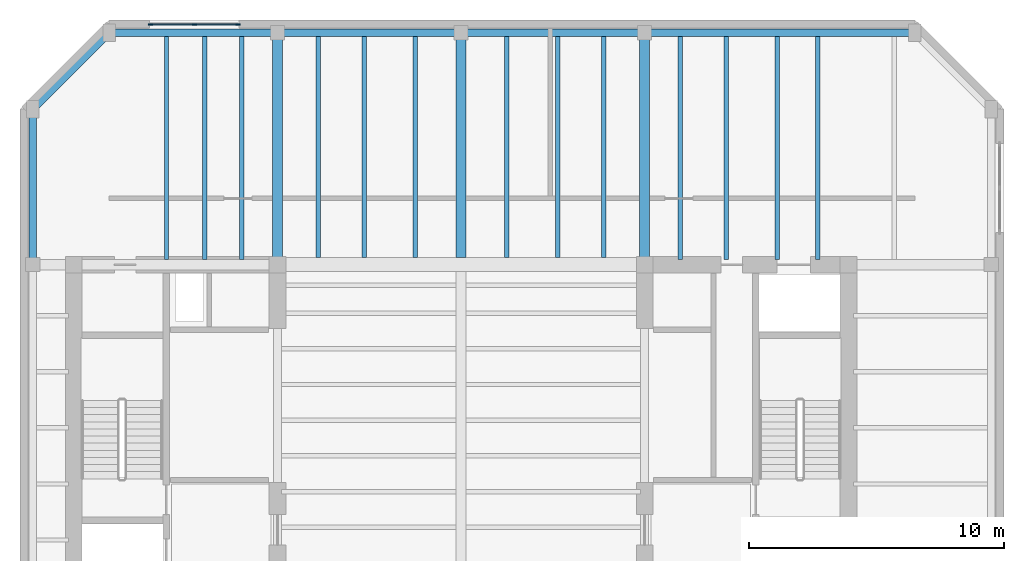
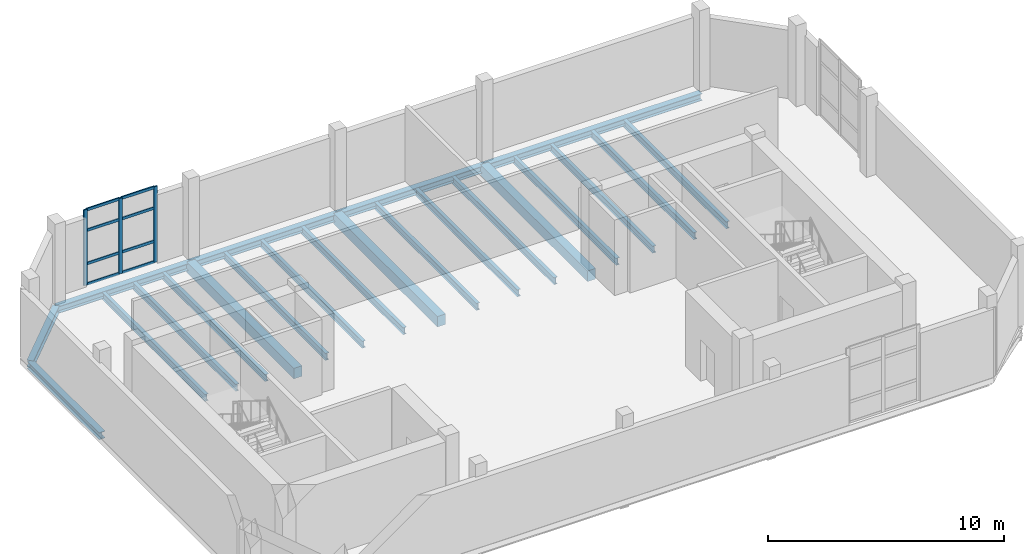
# One storey, part 3 of 7: 22 beams, 11 members, 1 element without a shape of its own.
"""IFC4 building model written with IfcOpenShell, lengths in metres."""

from ifc_helpers import new_model, si_unit, direction, frame, origin, origin_2d, place, context, subcontext, project, spatial, rectangle, i_section, extrude, material, layer, layer_set, material_profile, profile_set, type_object, element, aggregate, save


model = new_model("IFC4")

# Units and contexts
model_context = context("Model", 3, precision=1e-05, world=origin(), true_north=direction((0.0, 1.0)))
body_context = subcontext(model_context, "Body", "Model", "MODEL_VIEW")
ifc_project = project(units=[si_unit("LENGTHUNIT", "METRE"), si_unit("AREAUNIT", "SQUARE_METRE"), si_unit("VOLUMEUNIT", "CUBIC_METRE"), si_unit("PLANEANGLEUNIT", "RADIAN"), si_unit("MASSUNIT", "GRAM", prefix="KILO")], contexts=[model_context])

# Site, building, storey
site_placement = place(None, origin())
site = spatial("IfcSite", under=ifc_project, at=site_placement, CompositionType="ELEMENT")
building_placement = place(site_placement, origin())
building = spatial("IfcBuilding", under=site, at=building_placement, Name="Kranthara Brick Stack", CompositionType="ELEMENT")
storey_placement = place(building_placement, frame((0.0, 0.0, 304.800048828125)))
storey = spatial("IfcBuildingStorey", under=building, at=storey_placement, Name="L80", CompositionType="ELEMENT", Elevation=304.800048828125)

# Beams
ifc_material_1 = material(Name="Post-tensioned concrete C45/55", Category="concrete")
ifc_material_profile_1 = material_profile(ifc_material_1, rectangle(XDim=0.39990234375, YDim=0.550048828125, at=origin_2d()), Name="PT 400x550")
ifc_profile_set_1 = profile_set([ifc_material_profile_1], Name="Post-tensioned concrete C45/55")
beam_type_1 = type_object("IfcBeamType", Name="BM-FLR-PT550", PredefinedType="BEAM", material=ifc_profile_set_1)
beam_1_placement = place(storey_placement, frame((20.800048828125, 33.60009765625, -0.554931640625), z_axis=(0.0, 1.0, 0.0), x_axis=(-1.0, 0.0, 0.0)))
element("IfcBeam", 1, at=beam_1_placement, inside=storey, type_object=beam_type_1, Name="L80 Primary Grid Girder 022", PredefinedType="BEAM", context=body_context, shape_type="SweptSolid", body=[
    extrude(rectangle(XDim=0.39990234375, YDim=0.550048828125, at=origin_2d()), origin(), (0.0, 0.0, 1.0), 9.099853515625),
])
beam_2_placement = place(storey_placement, frame((28.0, 33.875, -0.554931640625), z_axis=(0.0, 1.0, 0.0), x_axis=(-1.0, 0.0, 0.0)))
element("IfcBeam", 2, at=beam_2_placement, inside=storey, type_object=beam_type_1, Name="L80 Primary Grid Girder 025", PredefinedType="BEAM", context=body_context, shape_type="SweptSolid", body=[
    extrude(rectangle(XDim=0.39990234375, YDim=0.550048828125, at=origin_2d()), origin(), (0.0, 0.0, 1.0), 8.824951171875),
])
beam_3_placement = place(storey_placement, frame((35.199951171875, 33.60009765625, -0.554931640625), z_axis=(0.0, 1.0, 0.0), x_axis=(-1.0, 0.0, 0.0)))
element("IfcBeam", 3, at=beam_3_placement, inside=storey, type_object=beam_type_1, Name="L80 Primary Grid Girder 027", PredefinedType="BEAM", context=body_context, shape_type="SweptSolid", body=[
    extrude(rectangle(XDim=0.39990234375, YDim=0.550048828125, at=origin_2d()), origin(), (0.0, 0.0, 1.0), 9.099853515625),
])
ifc_material_2 = material(Name="Steel S355", Category="steel")
ifc_material_profile_2 = material_profile(ifc_material_2, i_section(OverallWidth=0.169921875, OverallDepth=0.360107421875, WebThickness=0.008056640625, FlangeThickness=0.0126953125, at=origin_2d()), Name="IPE 360")
ifc_profile_set_2 = profile_set([ifc_material_profile_2], Name="Steel S355")
beam_type_2 = type_object("IfcBeamType", Name="BM-JST-IPE360", PredefinedType="JOIST", material=ifc_profile_set_2)
for number, where, z_axis, x_axis, name in (
    (4, (16.449951171875, 33.800048828125, -0.4599609375), (0.0, 1.0, 0.0), (-1.0, 0.0, 0.0), "L80 North Wing Floor Joist 051"),
    (5, (17.949951171875, 33.800048828125, -0.4599609375), (0.0, 1.0, 0.0), (-1.0, 0.0, 0.0), "L80 North Wing Floor Joist 053"),
    (6, (19.39990234375, 33.800048828125, -0.4599609375), (0.0, 1.0, 0.0), (-1.0, 0.0, 0.0), "L80 North Wing Floor Joist 055"),
):
    element("IfcBeam", number, at=place(storey_placement, frame(where, z_axis=z_axis, x_axis=x_axis)), inside=storey, type_object=beam_type_2, Name=name, PredefinedType="JOIST", context=body_context, shape_type="SweptSolid", body=[
        extrude(i_section(OverallWidth=0.169921875, OverallDepth=0.360107421875, WebThickness=0.008056640625, FlangeThickness=0.0126953125, at=origin_2d()), origin(), (0.0, 0.0, 1.0), 8.75),
    ])
for number, where, z_axis, x_axis, name in (
    (7, (22.39990234375, 33.875, -0.4599609375), (0.0, 1.0, 0.0), (-1.0, 0.0, 0.0), "L80 North Wing Floor Joist 057"),
    (8, (24.199951171875, 33.875, -0.4599609375), (0.0, 1.0, 0.0), (-1.0, 0.0, 0.0), "L80 North Wing Floor Joist 059"),
    (9, (26.199951171875, 33.875, -0.4599609375), (0.0, 1.0, 0.0), (-1.0, 0.0, 0.0), "L80 North Wing Floor Joist 061"),
    (10, (29.800048828125, 33.875, -0.4599609375), (0.0, 1.0, 0.0), (-1.0, 0.0, 0.0), "L80 North Wing Floor Joist 063"),
    (11, (31.800048828125, 33.875, -0.4599609375), (0.0, 1.0, 0.0), (-1.0, 0.0, 0.0), "L80 North Wing Floor Joist 065"),
    (12, (33.60009765625, 33.875, -0.4599609375), (0.0, 1.0, 0.0), (-1.0, 0.0, 0.0), "L80 North Wing Floor Joist 067"),
):
    element("IfcBeam", number, at=place(storey_placement, frame(where, z_axis=z_axis, x_axis=x_axis)), inside=storey, type_object=beam_type_2, Name=name, PredefinedType="JOIST", context=body_context, shape_type="SweptSolid", body=[
        extrude(i_section(OverallWidth=0.169921875, OverallDepth=0.360107421875, WebThickness=0.008056640625, FlangeThickness=0.0126953125, at=origin_2d()), origin(), (0.0, 0.0, 1.0), 8.675048828125),
    ])
for number, where, z_axis, x_axis, name in (
    (13, (36.60009765625, 33.800048828125, -0.4599609375), (0.0, 1.0, 0.0), (-1.0, 0.0, 0.0), "L80 North Wing Floor Joist 069"),
    (14, (38.39990234375, 33.800048828125, -0.4599609375), (0.0, 1.0, 0.0), (-1.0, 0.0, 0.0), "L80 North Wing Floor Joist 071"),
    (15, (40.39990234375, 33.800048828125, -0.4599609375), (0.0, 1.0, 0.0), (-1.0, 0.0, 0.0), "L80 North Wing Floor Joist 073"),
    (16, (42.0, 33.800048828125, -0.4599609375), (0.0, 1.0, 0.0), (-1.0, 0.0, 0.0), "L80 North Wing Floor Joist 075"),
):
    element("IfcBeam", number, at=place(storey_placement, frame(where, z_axis=z_axis, x_axis=x_axis)), inside=storey, type_object=beam_type_2, Name=name, PredefinedType="JOIST", context=body_context, shape_type="SweptSolid", body=[
        extrude(i_section(OverallWidth=0.169921875, OverallDepth=0.360107421875, WebThickness=0.008056640625, FlangeThickness=0.0126953125, at=origin_2d()), origin(), (0.0, 0.0, 1.0), 8.75),
    ])
ifc_material_3 = material(Name="Steel S355", Category="steel")
ifc_material_profile_3 = material_profile(ifc_material_3, i_section(OverallWidth=0.300048828125, OverallDepth=0.360107421875, WebThickness=0.012451171875, FlangeThickness=0.0224609375, at=origin_2d()), Name="HEB 360")
ifc_profile_set_3 = profile_set([ifc_material_profile_3], Name="Steel S355")
beam_type_3 = type_object("IfcBeamType", Name="BM-STL-HEB360", PredefinedType="SPANDREL", material=ifc_profile_set_3)
beam_4_placement = place(storey_placement, frame((14.199951171875, 42.699951171875, -0.4599609375), z_axis=(1.0, 0.0, 0.0), x_axis=(0.0, 1.0, 0.0)))
element("IfcBeam", 17, at=beam_4_placement, inside=storey, type_object=beam_type_3, Name="L80 Perimeter Spandrel Beam 009", PredefinedType="SPANDREL", context=body_context, shape_type="SweptSolid", body=[
    extrude(i_section(OverallWidth=0.300048828125, OverallDepth=0.360107421875, WebThickness=0.012451171875, FlangeThickness=0.0224609375, at=origin_2d()), origin(), (0.0, 0.0, 1.0), 6.60009765625),
])
for number, where, z_axis, x_axis, name in (
    (18, (20.800048828125, 42.699951171875, -0.4599609375), (1.0, 0.0, 0.0), (0.0, 1.0, 0.0), "L80 Perimeter Spandrel Beam 010"),
    (19, (28.0, 42.699951171875, -0.4599609375), (1.0, 0.0, 0.0), (0.0, 1.0, 0.0), "L80 Perimeter Spandrel Beam 011"),
):
    element("IfcBeam", number, at=place(storey_placement, frame(where, z_axis=z_axis, x_axis=x_axis)), inside=storey, type_object=beam_type_3, Name=name, PredefinedType="SPANDREL", context=body_context, shape_type="SweptSolid", body=[
        extrude(i_section(OverallWidth=0.300048828125, OverallDepth=0.360107421875, WebThickness=0.012451171875, FlangeThickness=0.0224609375, at=origin_2d()), origin(), (0.0, 0.0, 1.0), 7.199951171875),
    ])
beam_5_placement = place(storey_placement, frame((35.199951171875, 42.699951171875, -0.4599609375), z_axis=(1.0, 0.0, 0.0), x_axis=(0.0, 1.0, 0.0)))
element("IfcBeam", 20, at=beam_5_placement, inside=storey, type_object=beam_type_3, Name="L80 Perimeter Spandrel Beam 012", PredefinedType="SPANDREL", context=body_context, shape_type="SweptSolid", body=[
    extrude(i_section(OverallWidth=0.300048828125, OverallDepth=0.360107421875, WebThickness=0.012451171875, FlangeThickness=0.0224609375, at=origin_2d()), origin(), (0.0, 0.0, 1.0), 10.60009765625),
])
beam_6_placement = place(storey_placement, frame((11.199951171875, 33.60009765625, -0.4599609375), z_axis=(0.0, 1.0, 0.0), x_axis=(-1.0, 0.0, 0.0)))
element("IfcBeam", 21, at=beam_6_placement, inside=storey, type_object=beam_type_3, Name="L80 Perimeter Spandrel Beam 014", PredefinedType="SPANDREL", context=body_context, shape_type="SweptSolid", body=[
    extrude(i_section(OverallWidth=0.300048828125, OverallDepth=0.360107421875, WebThickness=0.012451171875, FlangeThickness=0.0224609375, at=origin_2d()), origin(), (0.0, 0.0, 1.0), 6.099853515625),
])
beam_7_placement = place(storey_placement, frame((14.199951171875, 42.699951171875, -0.4599609375), z_axis=(-0.707106781187, -0.707106781187, 0.0), x_axis=(0.707106781187, -0.707106781187, 0.0)))
element("IfcBeam", 22, at=beam_7_placement, inside=storey, type_object=beam_type_3, Name="L80 Chamfer Corner Spandrel 019", PredefinedType="SPANDREL", context=body_context, shape_type="SweptSolid", body=[
    extrude(i_section(OverallWidth=0.300048828125, OverallDepth=0.360107421875, WebThickness=0.012451171875, FlangeThickness=0.0224609375, at=origin_2d()), origin(), (0.0, 0.0, 1.0), 4.24267578125),
])

# Curtain wall, members
ifc_material_4 = material(Name="Bronze anodised aluminium and low-E glass", Category="aluminium")
ifc_layer = layer(ifc_material_4, 0.25)
ifc_layer_set = layer_set([ifc_layer], Name="Bronze anodised aluminium and low-E glass")
curtain_wall_type = type_object("IfcCurtainWallType", Name="CW-SYS6-CROWN", PredefinedType="USERDEFINED", material=ifc_layer_set)
curtain_wall_placement = place(storey_placement, origin())
curtain_wall = element("IfcCurtainWall", 23, at=curtain_wall_placement, inside=storey, type_object=curtain_wall_type, Name="L80 Curtain Wall CW6-L80-02", ObjectType="UNITISED CURTAIN WALL", PredefinedType="USERDEFINED")
ifc_material_5 = material(Name="Bronze anodised aluminium 6063-T6", Category="aluminium")
ifc_material_profile_4 = material_profile(ifc_material_5, rectangle(XDim=0.06494140625, YDim=0.179931640625, at=origin_2d()), Name="ALU MULLION 65x180")
ifc_profile_set_4 = profile_set([ifc_material_profile_4], Name="Bronze anodised aluminium 6063-T6")
member_type_1 = type_object("IfcMemberType", Name="CWM-65x180", PredefinedType="MULLION", material=ifc_profile_set_4)
member_1_placement = place(storey_placement, frame((15.820556640625, 43.030029296875, 0.0), z_axis=(0.0, 0.0, 1.0), x_axis=(0.0, 1.0, 0.0)))
member_1 = element("IfcMember", 24, at=member_1_placement, type_object=member_type_1, Name="CW mullion 1", PredefinedType="MULLION", context=body_context, shape_type="SweptSolid", body=[
    extrude(rectangle(XDim=0.06494140625, YDim=0.179931640625, at=origin_2d()), origin(), (0.0, 0.0, 1.0), 3.919921875),
])
member_2_placement = place(storey_placement, frame((17.5380859375, 43.030029296875, 0.0), z_axis=(0.0, 0.0, 1.0), x_axis=(0.0, 1.0, 0.0)))
member_2 = element("IfcMember", 25, at=member_2_placement, type_object=member_type_1, Name="CW mullion 2", PredefinedType="MULLION", context=body_context, shape_type="SweptSolid", body=[
    extrude(rectangle(XDim=0.06494140625, YDim=0.179931640625, at=origin_2d()), origin(), (0.0, 0.0, 1.0), 3.919921875),
])
member_3_placement = place(storey_placement, frame((19.255615234375, 43.030029296875, 0.0), z_axis=(0.0, 0.0, 1.0), x_axis=(0.0, 1.0, 0.0)))
member_3 = element("IfcMember", 26, at=member_3_placement, type_object=member_type_1, Name="CW mullion 3", PredefinedType="MULLION", context=body_context, shape_type="SweptSolid", body=[
    extrude(rectangle(XDim=0.06494140625, YDim=0.179931640625, at=origin_2d()), origin(), (0.0, 0.0, 1.0), 3.919921875),
])
ifc_material_6 = material(Name="Bronze anodised aluminium 6063-T6", Category="aluminium")
ifc_material_profile_5 = material_profile(ifc_material_6, rectangle(XDim=0.06494140625, YDim=0.139892578125, at=origin_2d()), Name="ALU TRANSOM 65x140")
ifc_profile_set_5 = profile_set([ifc_material_profile_5], Name="Bronze anodised aluminium 6063-T6")
member_type_2 = type_object("IfcMemberType", Name="CWT-65x140", PredefinedType="USERDEFINED", material=ifc_profile_set_5)
member_4_placement = place(storey_placement, frame((15.85302734375, 43.030029296875, 0.032470703125), z_axis=(1.0, 0.0, 0.0), x_axis=(0.0, 1.0, 0.0)))
member_4 = element("IfcMember", 27, at=member_4_placement, type_object=member_type_2, Name="CW transom 1.1", ObjectType="TRANSOM", PredefinedType="USERDEFINED", context=body_context, shape_type="SweptSolid", body=[
    extrude(rectangle(XDim=0.06494140625, YDim=0.139892578125, at=origin_2d()), origin(), (0.0, 0.0, 1.0), 1.652587890625),
])
member_5_placement = place(storey_placement, frame((15.85302734375, 43.030029296875, 1.09765625), z_axis=(1.0, 0.0, 0.0), x_axis=(0.0, 1.0, 0.0)))
member_5 = element("IfcMember", 28, at=member_5_placement, type_object=member_type_2, Name="CW transom 1.2", ObjectType="TRANSOM", PredefinedType="USERDEFINED", context=body_context, shape_type="SweptSolid", body=[
    extrude(rectangle(XDim=0.06494140625, YDim=0.139892578125, at=origin_2d()), origin(), (0.0, 0.0, 1.0), 1.652587890625),
])
member_6_placement = place(storey_placement, frame((15.85302734375, 43.030029296875, 2.822265625), z_axis=(1.0, 0.0, 0.0), x_axis=(0.0, 1.0, 0.0)))
member_6 = element("IfcMember", 29, at=member_6_placement, type_object=member_type_2, Name="CW transom 1.3", ObjectType="TRANSOM", PredefinedType="USERDEFINED", context=body_context, shape_type="SweptSolid", body=[
    extrude(rectangle(XDim=0.06494140625, YDim=0.139892578125, at=origin_2d()), origin(), (0.0, 0.0, 1.0), 1.652587890625),
])
member_7_placement = place(storey_placement, frame((15.85302734375, 43.030029296875, 3.887451171875), z_axis=(1.0, 0.0, 0.0), x_axis=(0.0, 1.0, 0.0)))
member_7 = element("IfcMember", 30, at=member_7_placement, type_object=member_type_2, Name="CW transom 1.4", ObjectType="TRANSOM", PredefinedType="USERDEFINED", context=body_context, shape_type="SweptSolid", body=[
    extrude(rectangle(XDim=0.06494140625, YDim=0.139892578125, at=origin_2d()), origin(), (0.0, 0.0, 1.0), 1.652587890625),
])
member_8_placement = place(storey_placement, frame((17.570556640625, 43.030029296875, 0.032470703125), z_axis=(1.0, 0.0, 0.0), x_axis=(0.0, 1.0, 0.0)))
member_8 = element("IfcMember", 31, at=member_8_placement, type_object=member_type_2, Name="CW transom 2.1", ObjectType="TRANSOM", PredefinedType="USERDEFINED", context=body_context, shape_type="SweptSolid", body=[
    extrude(rectangle(XDim=0.06494140625, YDim=0.139892578125, at=origin_2d()), origin(), (0.0, 0.0, 1.0), 1.65234375),
])
member_9_placement = place(storey_placement, frame((17.570556640625, 43.030029296875, 1.09765625), z_axis=(1.0, 0.0, 0.0), x_axis=(0.0, 1.0, 0.0)))
member_9 = element("IfcMember", 32, at=member_9_placement, type_object=member_type_2, Name="CW transom 2.2", ObjectType="TRANSOM", PredefinedType="USERDEFINED", context=body_context, shape_type="SweptSolid", body=[
    extrude(rectangle(XDim=0.06494140625, YDim=0.139892578125, at=origin_2d()), origin(), (0.0, 0.0, 1.0), 1.65234375),
])
member_10_placement = place(storey_placement, frame((17.570556640625, 43.030029296875, 2.822265625), z_axis=(1.0, 0.0, 0.0), x_axis=(0.0, 1.0, 0.0)))
member_10 = element("IfcMember", 33, at=member_10_placement, type_object=member_type_2, Name="CW transom 2.3", ObjectType="TRANSOM", PredefinedType="USERDEFINED", context=body_context, shape_type="SweptSolid", body=[
    extrude(rectangle(XDim=0.06494140625, YDim=0.139892578125, at=origin_2d()), origin(), (0.0, 0.0, 1.0), 1.65234375),
])
member_11_placement = place(storey_placement, frame((17.570556640625, 43.030029296875, 3.887451171875), z_axis=(1.0, 0.0, 0.0), x_axis=(0.0, 1.0, 0.0)))
member_11 = element("IfcMember", 34, at=member_11_placement, type_object=member_type_2, Name="CW transom 2.4", ObjectType="TRANSOM", PredefinedType="USERDEFINED", context=body_context, shape_type="SweptSolid", body=[
    extrude(rectangle(XDim=0.06494140625, YDim=0.139892578125, at=origin_2d()), origin(), (0.0, 0.0, 1.0), 1.65234375),
])
aggregate(curtain_wall, [member_1, member_2, member_3, member_4, member_5, member_6, member_7, member_8, member_9, member_10, member_11])

save(model, "model.ifc")
